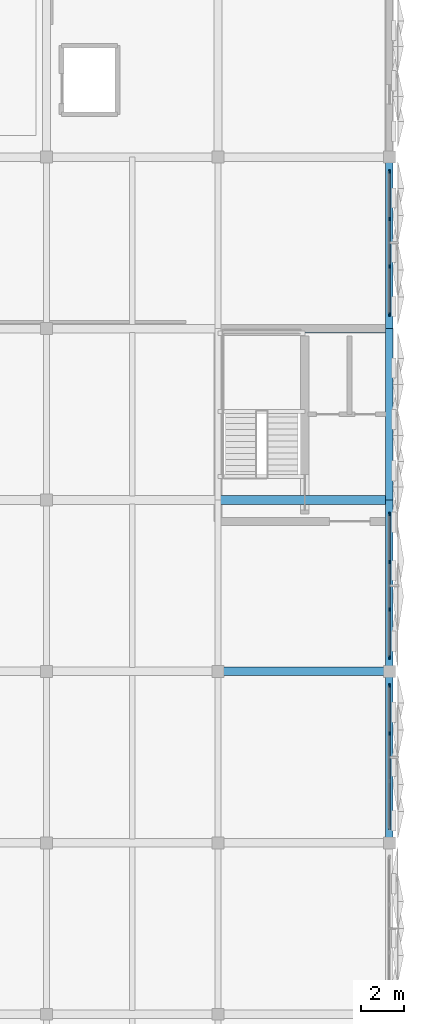
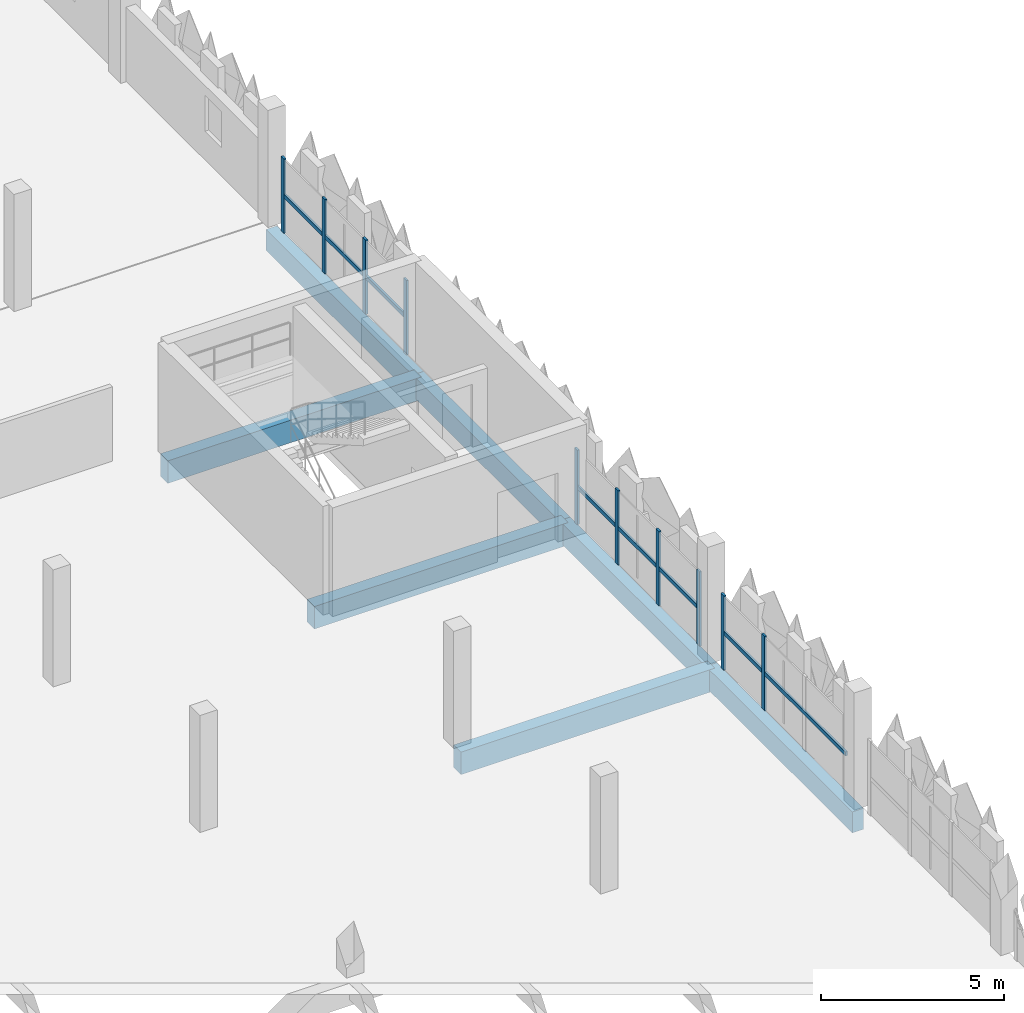
# One storey, part 27 of 96: 13 members, 7 beams, 3 elements without a shape of their own.
"""IFC4 building model written with IfcOpenShell, lengths in metres."""

from ifc_helpers import new_model, si_unit, derived_unit, direction, frame, origin, origin_2d, place, context, subcontext, project, spatial, rectangle, extrude, material, layer, layer_set, material_profile, profile_set, type_object, element, aggregate, save


model = new_model("IFC4")

# Units and contexts
model_context = context("Model", 3, precision=1e-05, world=origin(), true_north=direction((0.0, 1.0)))
body_context = subcontext(model_context, "Body", "Model", "MODEL_VIEW")
ifc_project = project(units=[si_unit("LENGTHUNIT", "METRE"), si_unit("AREAUNIT", "SQUARE_METRE"), si_unit("VOLUMEUNIT", "CUBIC_METRE"), si_unit("PLANEANGLEUNIT", "RADIAN"), si_unit("MASSUNIT", "GRAM", prefix="KILO"), si_unit("THERMODYNAMICTEMPERATUREUNIT", "KELVIN"), derived_unit("THERMALTRANSMITTANCEUNIT", [(si_unit("POWERUNIT", "WATT"), 1), (si_unit("AREAUNIT", "SQUARE_METRE"), -1), (si_unit("THERMODYNAMICTEMPERATUREUNIT", "KELVIN"), -1)])], contexts=[model_context])

# Site, building, storey
site_placement = place(None, origin())
site = spatial("IfcSite", under=ifc_project, at=site_placement, CompositionType="ELEMENT")
building_placement = place(site_placement, origin())
building = spatial("IfcBuilding", under=site, at=building_placement, Name="Haiyu Intermodal Mobility Hub", CompositionType="ELEMENT")
storey_placement = place(building_placement, frame((0.0, 0.0, 9.5)))
storey = spatial("IfcBuildingStorey", under=building, at=storey_placement, Name="L02", CompositionType="ELEMENT", Elevation=9.5)

# Beams
ifc_material_1 = material(Name="Concrete C40", Category="concrete")
ifc_material_profile_1 = material_profile(ifc_material_1, rectangle(XDim=0.39990234375, YDim=0.75, at=origin_2d()), Name="RCB400x750")
ifc_profile_set_1 = profile_set([ifc_material_profile_1], Name="Concrete C40")
beam_type_1 = type_object("IfcBeamType", Name="BM-CB03", PredefinedType="BEAM", material=ifc_profile_set_1)
for number, where, z_axis, x_axis, name in (
    (1, (202.0, 56.0, -0.635009765625), (1.0, 0.0, 0.0), (0.0, 1.0, 0.0), "BM-V5G-L02-041"),
    (2, (202.0, 64.0, -0.635009765625), (1.0, 0.0, 0.0), (0.0, 1.0, 0.0), "BM-V5G-L02-048"),
    (3, (202.0, 72.0, -0.635009765625), (1.0, 0.0, 0.0), (0.0, 1.0, 0.0), "BM-V5G-L02-055"),
):
    element("IfcBeam", number, at=place(storey_placement, frame(where, z_axis=z_axis, x_axis=x_axis)), inside=storey, type_object=beam_type_1, Name=name, PredefinedType="BEAM", context=body_context, shape_type="SweptSolid", body=[
        extrude(rectangle(XDim=0.39990234375, YDim=0.75, at=origin_2d()), origin(), (0.0, 0.0, 1.0), 8.0),
    ])
ifc_material_profile_2 = material_profile(ifc_material_1, rectangle(XDim=0.35009765625, YDim=0.699951171875, at=origin_2d()), Name="RCB350x700")
ifc_profile_set_2 = profile_set([ifc_material_profile_2], Name="Concrete C40")
beam_type_2 = type_object("IfcBeamType", Name="BM-CB06", PredefinedType="BEAM", material=ifc_profile_set_2)
for number, where, z_axis, x_axis, name in (
    (4, (210.0, 48.0, -0.610107421875), (0.0, 1.0, 0.0), (-1.0, 0.0, 0.0), "BM-V5T-L02-060"),
    (5, (210.0, 56.0, -0.610107421875), (0.0, 1.0, 0.0), (-1.0, 0.0, 0.0), "BM-V5T-L02-061"),
    (6, (210.0, 64.0, -0.610107421875), (0.0, 1.0, 0.0), (-1.0, 0.0, 0.0), "BM-V5T-L02-062"),
    (7, (210.0, 72.0, -0.610107421875), (0.0, 1.0, 0.0), (-1.0, 0.0, 0.0), "BM-V5T-L02-063"),
):
    element("IfcBeam", number, at=place(storey_placement, frame(where, z_axis=z_axis, x_axis=x_axis)), inside=storey, type_object=beam_type_2, Name=name, PredefinedType="BEAM", context=body_context, shape_type="SweptSolid", body=[
        extrude(rectangle(XDim=0.35009765625, YDim=0.699951171875, at=origin_2d()), origin(), (0.0, 0.0, 1.0), 8.0),
    ])

# Curtain wall, members
ifc_material_2 = material(Name="Low-e laminated insulating glass", Category="glass")
ifc_layer = layer(ifc_material_2, 0.2099609375)
ifc_layer_set = layer_set([ifc_layer], Name="Low-e laminated insulating glass")
curtain_wall_type = type_object("IfcCurtainWallType", Name="CW-CW04", PredefinedType="NOTDEFINED", material=ifc_layer_set)
curtain_wall_1_placement = place(storey_placement, origin())
curtain_wall_1 = element("IfcCurtainWall", 8, at=curtain_wall_1_placement, inside=storey, type_object=curtain_wall_type, Name="Curtain Wall CW-V5E-L02-114", PredefinedType="NOTDEFINED")
ifc_material_3 = material(Name="Anodised aluminium 6063-T6", Category="aluminium")
ifc_material_profile_3 = material_profile(ifc_material_3, rectangle(XDim=0.06494140625, YDim=0.1650390625, at=origin_2d()), Name="ALU65x165")
ifc_profile_set_3 = profile_set([ifc_material_profile_3], Name="Anodised aluminium 6063-T6")
member_type_1 = type_object("IfcMemberType", Name="CWM-ML02", PredefinedType="MULLION", material=ifc_profile_set_3)
member_1_placement = place(storey_placement, frame((210.0, 53.113037109375, 0.0), z_axis=(0.0, 0.0, 1.0), x_axis=(1.0, 0.0, 0.0)))
member_1 = element("IfcMember", 9, at=member_1_placement, type_object=member_type_1, Name="CW-V5E-L02-114-ML03", PredefinedType="MULLION", context=body_context, shape_type="SweptSolid", body=[
    extrude(rectangle(XDim=0.06494140625, YDim=0.1650390625, at=origin_2d()), origin(), (0.0, 0.0, 1.0), 2.47998046875),
])
member_2_placement = place(storey_placement, frame((210.0, 55.340087890625, 0.0), z_axis=(0.0, 0.0, 1.0), x_axis=(1.0, 0.0, 0.0)))
member_2 = element("IfcMember", 10, at=member_2_placement, type_object=member_type_1, Name="CW-V5E-L02-114-ML04", PredefinedType="MULLION", context=body_context, shape_type="SweptSolid", body=[
    extrude(rectangle(XDim=0.06494140625, YDim=0.1650390625, at=origin_2d()), origin(), (0.0, 0.0, 1.0), 2.47998046875),
])

curtain_wall_2_placement = place(storey_placement, origin())
curtain_wall_2 = element("IfcCurtainWall", 11, at=curtain_wall_2_placement, inside=storey, type_object=curtain_wall_type, Name="Curtain Wall CW-V5E-L02-115", PredefinedType="NOTDEFINED")
member_3_placement = place(storey_placement, frame((210.0, 56.659912109375, 0.0), z_axis=(0.0, 0.0, 1.0), x_axis=(1.0, 0.0, 0.0)))
member_3 = element("IfcMember", 12, at=member_3_placement, type_object=member_type_1, Name="CW-V5E-L02-115-ML01", PredefinedType="MULLION", context=body_context, shape_type="SweptSolid", body=[
    extrude(rectangle(XDim=0.06494140625, YDim=0.1650390625, at=origin_2d()), origin(), (0.0, 0.0, 1.0), 2.47998046875),
])
member_4_placement = place(storey_placement, frame((210.0, 58.886962890625, 0.0), z_axis=(0.0, 0.0, 1.0), x_axis=(1.0, 0.0, 0.0)))
member_4 = element("IfcMember", 13, at=member_4_placement, type_object=member_type_1, Name="CW-V5E-L02-115-ML02", PredefinedType="MULLION", context=body_context, shape_type="SweptSolid", body=[
    extrude(rectangle(XDim=0.06494140625, YDim=0.1650390625, at=origin_2d()), origin(), (0.0, 0.0, 1.0), 2.47998046875),
])
member_5_placement = place(storey_placement, frame((210.0, 61.113037109375, 0.0), z_axis=(0.0, 0.0, 1.0), x_axis=(1.0, 0.0, 0.0)))
member_5 = element("IfcMember", 14, at=member_5_placement, type_object=member_type_1, Name="CW-V5E-L02-115-ML03", PredefinedType="MULLION", context=body_context, shape_type="SweptSolid", body=[
    extrude(rectangle(XDim=0.06494140625, YDim=0.1650390625, at=origin_2d()), origin(), (0.0, 0.0, 1.0), 2.47998046875),
])
member_6_placement = place(storey_placement, frame((210.0, 63.340087890625, 0.0), z_axis=(0.0, 0.0, 1.0), x_axis=(1.0, 0.0, 0.0)))
member_6 = element("IfcMember", 15, at=member_6_placement, type_object=member_type_1, Name="CW-V5E-L02-115-ML04", PredefinedType="MULLION", context=body_context, shape_type="SweptSolid", body=[
    extrude(rectangle(XDim=0.06494140625, YDim=0.1650390625, at=origin_2d()), origin(), (0.0, 0.0, 1.0), 2.47998046875),
])

curtain_wall_3_placement = place(storey_placement, origin())
curtain_wall_3 = element("IfcCurtainWall", 16, at=curtain_wall_3_placement, inside=storey, type_object=curtain_wall_type, Name="Curtain Wall CW-V5E-L02-116", PredefinedType="NOTDEFINED")
member_7_placement = place(storey_placement, frame((210.0, 72.659912109375, 0.0), z_axis=(0.0, 0.0, 1.0), x_axis=(1.0, 0.0, 0.0)))
member_7 = element("IfcMember", 17, at=member_7_placement, type_object=member_type_1, Name="CW-V5E-L02-116-ML01", PredefinedType="MULLION", context=body_context, shape_type="SweptSolid", body=[
    extrude(rectangle(XDim=0.06494140625, YDim=0.1650390625, at=origin_2d()), origin(), (0.0, 0.0, 1.0), 2.47998046875),
])
member_8_placement = place(storey_placement, frame((210.0, 74.886962890625, 0.0), z_axis=(0.0, 0.0, 1.0), x_axis=(1.0, 0.0, 0.0)))
member_8 = element("IfcMember", 18, at=member_8_placement, type_object=member_type_1, Name="CW-V5E-L02-116-ML02", PredefinedType="MULLION", context=body_context, shape_type="SweptSolid", body=[
    extrude(rectangle(XDim=0.06494140625, YDim=0.1650390625, at=origin_2d()), origin(), (0.0, 0.0, 1.0), 2.47998046875),
])
member_9_placement = place(storey_placement, frame((210.0, 77.113037109375, 0.0), z_axis=(0.0, 0.0, 1.0), x_axis=(1.0, 0.0, 0.0)))
member_9 = element("IfcMember", 19, at=member_9_placement, type_object=member_type_1, Name="CW-V5E-L02-116-ML03", PredefinedType="MULLION", context=body_context, shape_type="SweptSolid", body=[
    extrude(rectangle(XDim=0.06494140625, YDim=0.1650390625, at=origin_2d()), origin(), (0.0, 0.0, 1.0), 2.47998046875),
])
member_10_placement = place(storey_placement, frame((210.0, 79.340087890625, 0.0), z_axis=(0.0, 0.0, 1.0), x_axis=(1.0, 0.0, 0.0)))
member_10 = element("IfcMember", 20, at=member_10_placement, type_object=member_type_1, Name="CW-V5E-L02-116-ML04", PredefinedType="MULLION", context=body_context, shape_type="SweptSolid", body=[
    extrude(rectangle(XDim=0.06494140625, YDim=0.1650390625, at=origin_2d()), origin(), (0.0, 0.0, 1.0), 2.47998046875),
])

# Member
ifc_material_profile_4 = material_profile(ifc_material_3, rectangle(XDim=0.06494140625, YDim=0.135009765625, at=origin_2d()), Name="ALU65x135")
ifc_profile_set_4 = profile_set([ifc_material_profile_4], Name="Anodised aluminium 6063-T6")
member_type_2 = type_object("IfcMemberType", Name="CWM-TR02", PredefinedType="USERDEFINED", material=ifc_profile_set_4)
member_11_placement = place(storey_placement, frame((210.0, 48.6201171875, 1.239990234375), z_axis=(0.0, 1.0, 0.0), x_axis=(-1.0, 0.0, 0.0)))
member_11 = element("IfcMember", 21, at=member_11_placement, type_object=member_type_2, Name="CW-V5E-L02-114-TR01", ObjectType="TRANSOM", PredefinedType="USERDEFINED", context=body_context, shape_type="SweptSolid", body=[
    extrude(rectangle(XDim=0.06494140625, YDim=0.135009765625, at=origin_2d()), origin(), (0.0, 0.0, 1.0), 6.759765625),
])

aggregate(curtain_wall_1, [member_1, member_2, member_11])

member_12_placement = place(storey_placement, frame((210.0, 56.6201171875, 1.239990234375), z_axis=(0.0, 1.0, 0.0), x_axis=(-1.0, 0.0, 0.0)))
member_12 = element("IfcMember", 22, at=member_12_placement, type_object=member_type_2, Name="CW-V5E-L02-115-TR01", ObjectType="TRANSOM", PredefinedType="USERDEFINED", context=body_context, shape_type="SweptSolid", body=[
    extrude(rectangle(XDim=0.06494140625, YDim=0.135009765625, at=origin_2d()), origin(), (0.0, 0.0, 1.0), 6.759765625),
])

aggregate(curtain_wall_2, [member_3, member_4, member_5, member_6, member_12])

member_13_placement = place(storey_placement, frame((210.0, 72.6201171875, 1.239990234375), z_axis=(0.0, 1.0, 0.0), x_axis=(-1.0, 0.0, 0.0)))
member_13 = element("IfcMember", 23, at=member_13_placement, type_object=member_type_2, Name="CW-V5E-L02-116-TR01", ObjectType="TRANSOM", PredefinedType="USERDEFINED", context=body_context, shape_type="SweptSolid", body=[
    extrude(rectangle(XDim=0.06494140625, YDim=0.135009765625, at=origin_2d()), origin(), (0.0, 0.0, 1.0), 6.759765625),
])

aggregate(curtain_wall_3, [member_7, member_8, member_9, member_10, member_13])

save(model, "model.ifc")
